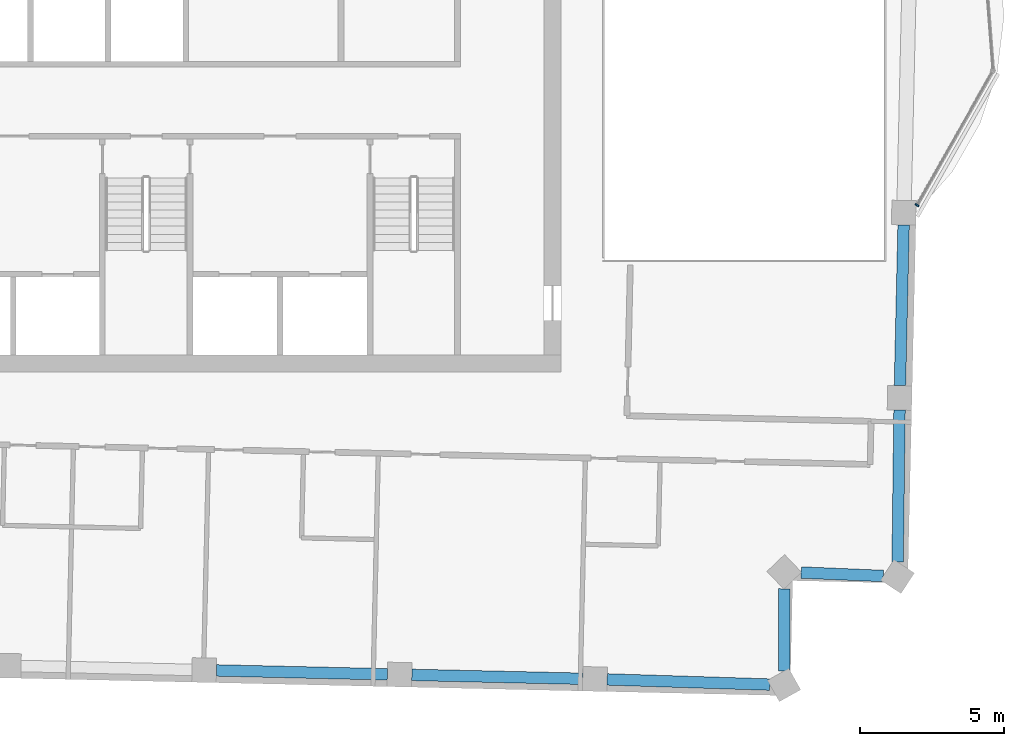
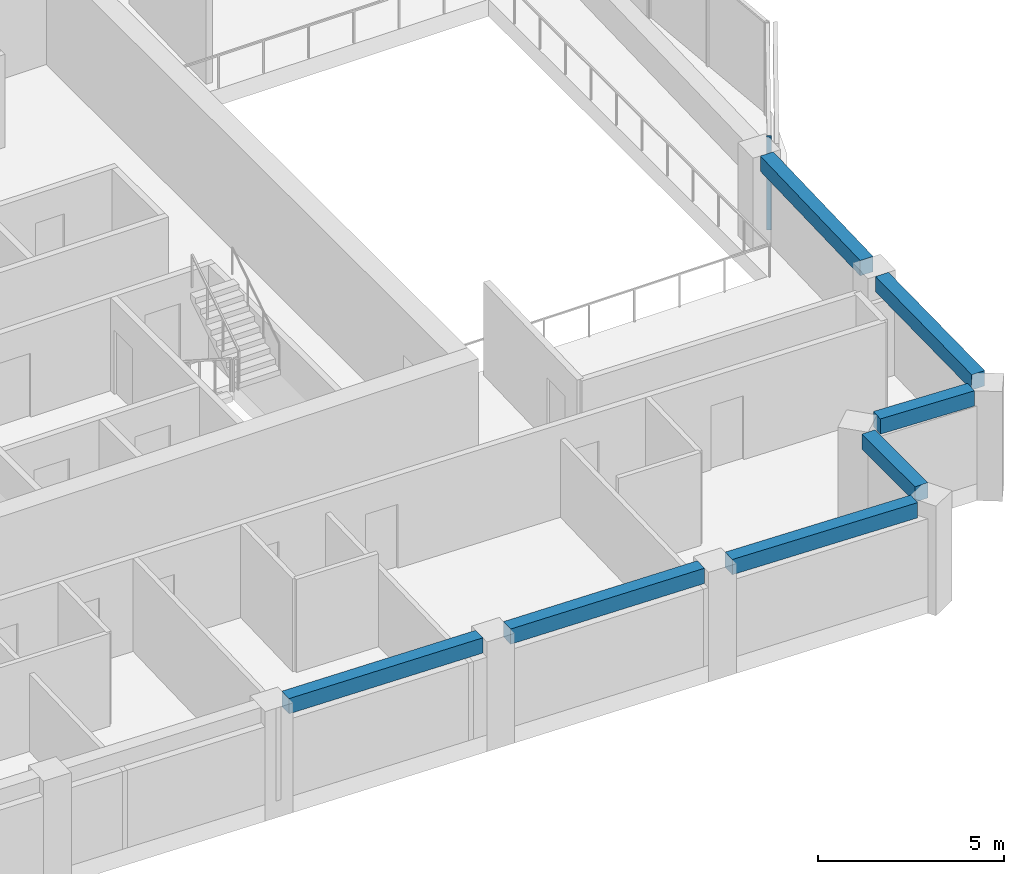
# One storey, part 3 of 11: 7 beams, 1 member, 1 element without a shape of its own.
"""IFC4 building model written with IfcOpenShell, lengths in metres."""

from ifc_helpers import new_model, si_unit, direction, frame, origin, origin_2d, place, context, subcontext, project, spatial, rectangle, extrude, material, material_profile, profile_set, type_object, element, aggregate, save


model = new_model("IFC4")

# Units and contexts
model_context = context("Model", 3, precision=1e-05, world=origin(), true_north=direction((0.0, 1.0)))
body_context = subcontext(model_context, "Body", "Model", "MODEL_VIEW")
ifc_project = project(units=[si_unit("LENGTHUNIT", "METRE"), si_unit("AREAUNIT", "SQUARE_METRE"), si_unit("VOLUMEUNIT", "CUBIC_METRE"), si_unit("PLANEANGLEUNIT", "RADIAN"), si_unit("MASSUNIT", "GRAM", prefix="KILO")], contexts=[model_context])

# Site, building, storey
site_placement = place(None, origin())
site = spatial("IfcSite", under=ifc_project, at=site_placement, CompositionType="ELEMENT")
building_placement = place(site_placement, origin())
building = spatial("IfcBuilding", under=site, at=building_placement, Name="Mangrove Gate Tower", CompositionType="ELEMENT")
storey_placement = place(building_placement, frame((0.0, 0.0, 334.300048828125)))
storey = spatial("IfcBuildingStorey", under=building, at=storey_placement, Name="L85", CompositionType="ELEMENT", Elevation=334.300048828125)

# Curtain wall, member
ifc_material_1 = material(Name="Aluminium and glass curtain wall", Category="aluminium")
curtain_wall_type = type_object("IfcCurtainWallType", Name="Crown garden glazing wall", PredefinedType="NOTDEFINED", material=ifc_material_1)
curtain_wall_placement = place(storey_placement, origin())
curtain_wall = element("IfcCurtainWall", 1, at=curtain_wall_placement, inside=storey, type_object=curtain_wall_type, Name="Crown garden glazing E1f1", PredefinedType="NOTDEFINED")
ifc_material_2 = material(Name="Aluminium alloy 6063-T6", Category="aluminium")
ifc_material_profile_1 = material_profile(ifc_material_2, rectangle(XDim=0.06005859375, YDim=0.139892578125, at=origin_2d()))
ifc_profile_set_1 = profile_set([ifc_material_profile_1], Name="Aluminium alloy 6063-T6")
member_type = type_object("IfcMemberType", Name="Crown garden glazing mullion 60x140", PredefinedType="MULLION", material=ifc_profile_set_1)
member_placement = place(storey_placement, frame((26.767333984375, -5.598876953125, 0.0), z_axis=(0.0, 0.0, 1.0), x_axis=(0.492565947646, 0.870275121568, 0.0)))
member = element("IfcMember", 2, at=member_placement, type_object=member_type, Name="CWC mullion 1", PredefinedType="MULLION", context=body_context, shape_type="SweptSolid", body=[
    extrude(rectangle(XDim=0.06005859375, YDim=0.139892578125, at=origin_2d()), origin(), (0.0, 0.0, 1.0), 3.050048828125),
])
aggregate(curtain_wall, [member])

# Beams
ifc_material_3 = material(Name="Concrete C50/60", Category="concrete")
ifc_material_profile_2 = material_profile(ifc_material_3, rectangle(XDim=0.39990234375, YDim=0.5, at=origin_2d()))
ifc_profile_set_2 = profile_set([ifc_material_profile_2], Name="Concrete C50/60")
beam_type = type_object("IfcBeamType", Name="Edge beam RC 400x500 C50/60", PredefinedType="BEAM", material=ifc_profile_set_2)
for number, where, z_axis, x_axis, name in (
    (3, (2.41650390625, -21.771728515625, 2.800048828125), (0.999739092301, -0.022841789, 0.0), (0.022841789, 0.999739092301, 0.0), "Edge beam L85 08"),
    (4, (9.20751953125, -21.9267578125, 2.800048828125), (0.999742831422, -0.022677544399, 0.0), (0.022677544399, 0.999742831422, 0.0), "Edge beam L85 09"),
):
    element("IfcBeam", number, at=place(storey_placement, frame(where, z_axis=z_axis, x_axis=x_axis)), inside=storey, type_object=beam_type, Name=name, PredefinedType="BEAM", context=body_context, shape_type="SweptSolid", body=[
        extrude(rectangle(XDim=0.39990234375, YDim=0.5, at=origin_2d()), origin(), (0.0, 0.0, 1.0), 5.942626953125),
    ])
beam_1_placement = place(storey_placement, frame((15.99853515625, -22.08447265625, 2.800048828125), z_axis=(0.99949940425, -0.031637650098, 0.0), x_axis=(0.031637650098, 0.99949940425, 0.0)))
element("IfcBeam", 5, at=beam_1_placement, inside=storey, type_object=beam_type, Name="Edge beam L85 10", PredefinedType="BEAM", context=body_context, shape_type="SweptSolid", body=[
    extrude(rectangle(XDim=0.39990234375, YDim=0.5, at=origin_2d()), origin(), (0.0, 0.0, 1.0), 5.656494140625),
])
beam_2_placement = place(storey_placement, frame((22.148193359375, -21.791748046875, 2.800048828125), z_axis=(0.001195252284, 0.999999285686, 0.0), x_axis=(-0.999999285686, 0.001195252284, 0.0)))
element("IfcBeam", 6, at=beam_2_placement, inside=storey, type_object=beam_type, Name="Edge beam L85 11", PredefinedType="BEAM", context=body_context, shape_type="SweptSolid", body=[
    extrude(rectangle(XDim=0.39990234375, YDim=0.5, at=origin_2d()), origin(), (0.0, 0.0, 1.0), 2.859619140625),
])
beam_3_placement = place(storey_placement, frame((22.74169921875, -18.36865234375, 2.800048828125), z_axis=(0.999115204076, -0.042057210849, 0.0), x_axis=(0.042057210849, 0.999115204076, 0.0)))
element("IfcBeam", 7, at=beam_3_placement, inside=storey, type_object=beam_type, Name="Edge beam L85 12", PredefinedType="BEAM", context=body_context, shape_type="SweptSolid", body=[
    extrude(rectangle(XDim=0.39990234375, YDim=0.5, at=origin_2d()), origin(), (0.0, 0.0, 1.0), 2.85595703125),
])
beam_4_placement = place(storey_placement, frame((26.095458984375, -18.006103515625, 2.800048828125), z_axis=(0.01238009154, 0.99992336373, 0.0), x_axis=(-0.99992336373, 0.01238009154, 0.0)))
element("IfcBeam", 8, at=beam_4_placement, inside=storey, type_object=beam_type, Name="Edge beam L85 13", PredefinedType="BEAM", context=body_context, shape_type="SweptSolid", body=[
    extrude(rectangle(XDim=0.39990234375, YDim=0.5, at=origin_2d()), origin(), (0.0, 0.0, 1.0), 5.28515625),
])
beam_5_placement = place(storey_placement, frame((26.17578125, -11.87158203125, 2.800048828125), z_axis=(0.022675751709, 0.999742872085, 0.0), x_axis=(-0.999742872085, 0.022675751709, 0.0)))
element("IfcBeam", 9, at=beam_5_placement, inside=storey, type_object=beam_type, Name="Edge beam L85 14", PredefinedType="BEAM", context=body_context, shape_type="SweptSolid", body=[
    extrude(rectangle(XDim=0.39990234375, YDim=0.5, at=origin_2d()), origin(), (0.0, 0.0, 1.0), 5.587890625),
])

save(model, "model.ifc")
